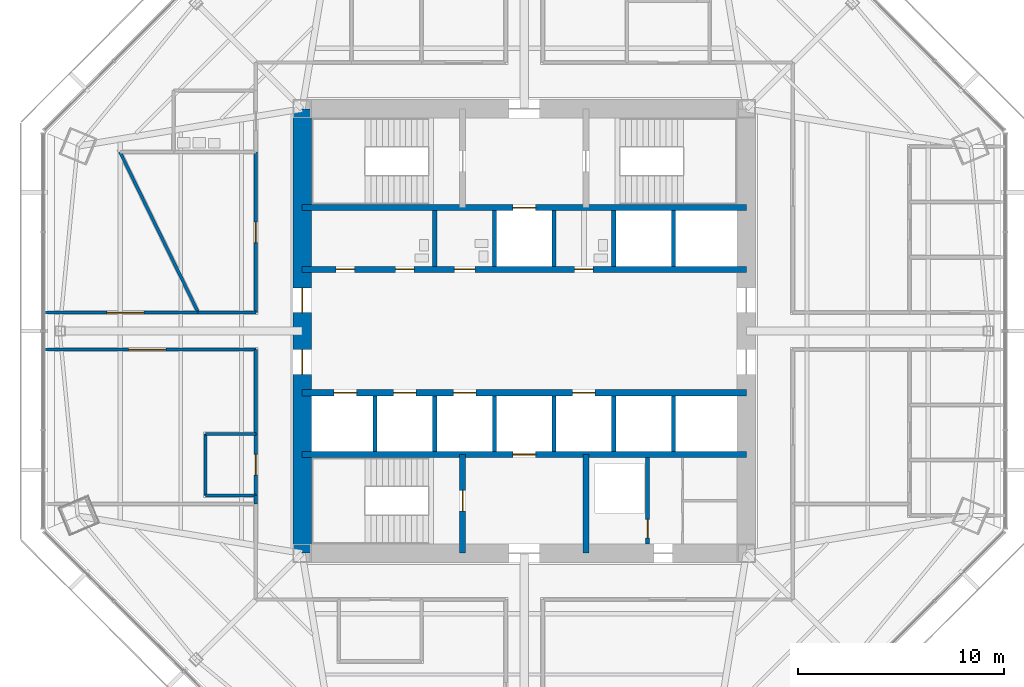
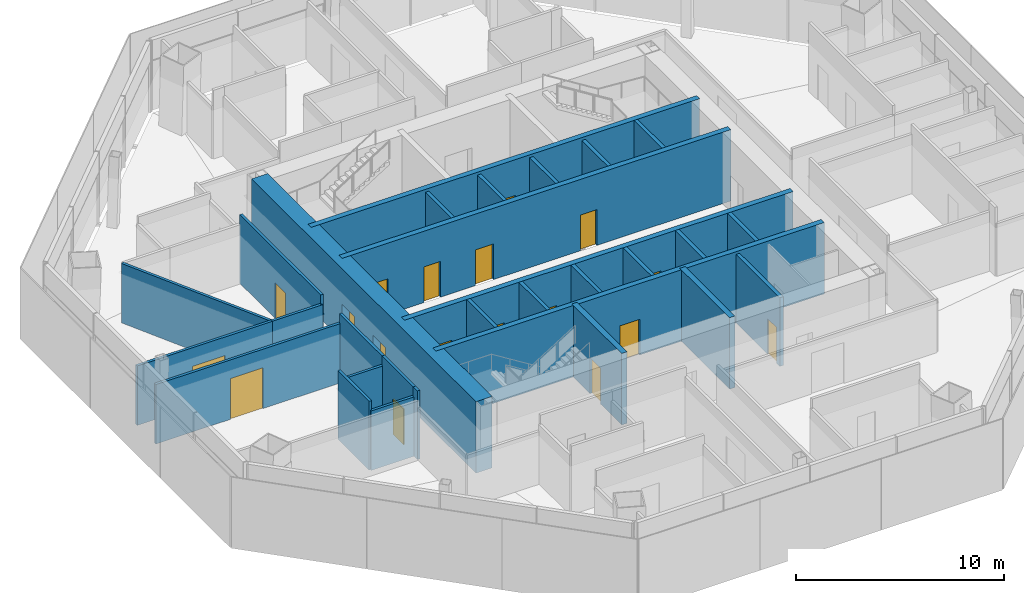
# One storey, part 9 of 15: 30 walls, 18 doors, 18 openings.
"""IFC4 building model written with IfcOpenShell, lengths in metres."""

from ifc_helpers import new_model, si_unit, direction, frame, frame_2d, origin, place, context, subcontext, project, spatial, rectangle, extrude, material, layer, layer_set, type_object, element, fill, save


model = new_model("IFC4")

# Units and contexts
model_context = context("Model", 3, precision=1e-05, world=origin(), true_north=direction((0.0, 1.0)))
body_context = subcontext(model_context, "Body", "Model", "MODEL_VIEW")
ifc_project = project(units=[si_unit("LENGTHUNIT", "METRE"), si_unit("AREAUNIT", "SQUARE_METRE"), si_unit("VOLUMEUNIT", "CUBIC_METRE"), si_unit("PLANEANGLEUNIT", "RADIAN"), si_unit("MASSUNIT", "GRAM", prefix="KILO")], contexts=[model_context])

# Site, building, storey
site_placement = place(None, origin())
site = spatial("IfcSite", under=ifc_project, at=site_placement, CompositionType="ELEMENT")
building_placement = place(site_placement, origin())
building = spatial("IfcBuilding", under=site, at=building_placement, Name="Mashrafa Tower", CompositionType="ELEMENT")
storey_placement = place(building_placement, frame((0.0, 0.0, 163.800048828125)))
storey = spatial("IfcBuildingStorey", under=building, at=storey_placement, Name="L37", CompositionType="ELEMENT", Elevation=163.800048828125)

# Wall, opening, door
ifc_material_1 = material(Name="Concrete masonry unit", Category="masonry")
ifc_layer_1 = layer(ifc_material_1, 0.199951171875)
ifc_layer_set_1 = layer_set([ifc_layer_1], Name="Blockwork wall 200 2 hr")
wall_type_1 = type_object("IfcWallType", Name="Blockwork wall 200 2 hr", PredefinedType="PARTITIONING", material=ifc_layer_set_1)
wall_1_placement = place(storey_placement, frame((6.0, -10.35009765625, 0.0), z_axis=(0.0, 0.0, 1.0), x_axis=(0.0, 1.0, 0.0)))
wall_1 = element("IfcWall", 1, at=wall_1_placement, inside=storey, type_object=wall_type_1, Name="Riser enclosure wall L37", PredefinedType="PARTITIONING", context=body_context, shape_type="SweptSolid", body=[
    extrude(rectangle(XDim=4.2001953125, YDim=0.199951171875, at=frame_2d((2.10009765625, 0.0))), origin(), (0.0, 0.0, 1.0), 4.034912109375),
])
opening_1_placement = place(wall_1_placement, frame((0.300048828125, 0.0, 0.0)))
opening_1 = element("IfcOpeningElement", 2, at=opening_1_placement, cuts=wall_1, Name="Opening 37.034", PredefinedType="OPENING", context=body_context, shape_type="SweptSolid", body=[
    extrude(rectangle(XDim=0.89990234375, YDim=2.10009765625, at=frame_2d((0.449951171875, 1.050048828125))), frame((0.0, 0.10986328125, 0.0), z_axis=(0.0, -1.0, 0.0), x_axis=(1.0, 0.0, 0.0)), (0.0, 0.0, 1.0), 0.219970703125),
])
ifc_material_2 = material(Name="Steel door", Category="steel")
door_type_1 = type_object("IfcDoorType", Name="Service door 900 x 2100 90 min", OperationType="USERDEFINED", PredefinedType="DOOR", material=ifc_material_2)
door_1_placement = place(opening_1_placement, origin())
door_1 = element("IfcDoor", 3, at=door_1_placement, inside=storey, type_object=door_type_1, Name="Riser door L37", OperationType="SINGLE_SWING_LEFT", OverallHeight=2.10009765625, OverallWidth=0.89990234375, PredefinedType="DOOR", context=body_context, shape_type="SweptSolid", body=[
    extrude(rectangle(XDim=0.89990234375, YDim=2.10009765625, at=frame_2d((0.449951171875, 1.050048828125))), frame((0.0, 0.02490234375, 0.0), z_axis=(0.0, -1.0, 0.0), x_axis=(1.0, 0.0, 0.0)), (0.0, 0.0, 1.0), 0.050048828125),
])
fill(opening_1, door_1)

# Wall, openings, doors
ifc_material_3 = material(Name="Concrete C60/75", Category="concrete")
ifc_layer_2 = layer(ifc_material_3, 0.300048828125)
ifc_layer_set_2 = layer_set([ifc_layer_2], Name="Core wall 300 C60/75")
wall_type_2 = type_object("IfcWallType", Name="Core wall 300 C60/75", PredefinedType="SOLIDWALL", material=ifc_layer_set_2)
wall_2_placement = place(storey_placement, frame((-10.800048828125, 3.0, 0.0), z_axis=(0.0, 0.0, 1.0), x_axis=(1.0, 0.0, 0.0)))
wall_2 = element("IfcWall", 4, at=wall_2_placement, inside=storey, type_object=wall_type_2, Name="Core wall CH-N L37", PredefinedType="SOLIDWALL", context=body_context, shape_type="SweptSolid", body=[
    extrude(rectangle(XDim=21.60009765625, YDim=0.300048828125, at=frame_2d((10.800048828125, 0.0))), origin(), (0.0, 0.0, 1.0), 4.199951171875),
])
opening_2_placement = place(wall_2_placement, frame((1.64990234375, 0.0, 0.0)))
opening_2 = element("IfcOpeningElement", 5, at=opening_2_placement, cuts=wall_2, Name="Opening 37.037", PredefinedType="OPENING", context=body_context, shape_type="SweptSolid", body=[
    extrude(rectangle(XDim=0.89990234375, YDim=2.10009765625, at=frame_2d((0.449951171875, 1.050048828125))), frame((0.0, 0.159912109375, 0.0), z_axis=(0.0, -1.0, 0.0), x_axis=(1.0, 0.0, 0.0)), (0.0, 0.0, 1.0), 0.320068359375),
])
opening_3_placement = place(wall_2_placement, frame((4.550048828125, 0.0, 0.0)))
opening_3 = element("IfcOpeningElement", 6, at=opening_3_placement, cuts=wall_2, Name="Opening 37.038", PredefinedType="OPENING", context=body_context, shape_type="SweptSolid", body=[
    extrude(rectangle(XDim=0.89990234375, YDim=2.10009765625, at=frame_2d((0.449951171875, 1.050048828125))), frame((0.0, 0.159912109375, 0.0), z_axis=(0.0, -1.0, 0.0), x_axis=(1.0, 0.0, 0.0)), (0.0, 0.0, 1.0), 0.320068359375),
])
opening_4_placement = place(wall_2_placement, frame((7.39990234375, 0.0, 0.0)))
opening_4 = element("IfcOpeningElement", 7, at=opening_4_placement, cuts=wall_2, Name="Opening 37.039", PredefinedType="OPENING", context=body_context, shape_type="SweptSolid", body=[
    extrude(rectangle(XDim=1.0, YDim=2.10009765625, at=frame_2d((0.5, 1.050048828125))), frame((0.0, 0.159912109375, 0.0), z_axis=(0.0, -1.0, 0.0), x_axis=(1.0, 0.0, 0.0)), (0.0, 0.0, 1.0), 0.320068359375),
])
opening_5_placement = place(wall_2_placement, frame((13.25, 0.0, 0.0)))
opening_5 = element("IfcOpeningElement", 8, at=opening_5_placement, cuts=wall_2, Name="Opening 37.040", PredefinedType="OPENING", context=body_context, shape_type="SweptSolid", body=[
    extrude(rectangle(XDim=0.89990234375, YDim=2.10009765625, at=frame_2d((0.449951171875, 1.050048828125))), frame((0.0, 0.159912109375, 0.0), z_axis=(0.0, -1.0, 0.0), x_axis=(1.0, 0.0, 0.0)), (0.0, 0.0, 1.0), 0.320068359375),
])
ifc_material_4 = material(Name="Timber door", Category="wood")
door_type_2 = type_object("IfcDoorType", Name="Accessible toilet door 1000 x 2100", OperationType="USERDEFINED", PredefinedType="DOOR", material=ifc_material_4)
door_2_placement = place(opening_4_placement, origin())
door_2 = element("IfcDoor", 9, at=door_2_placement, inside=storey, type_object=door_type_2, Name="Accessible WC L37 door", OperationType="SINGLE_SWING_LEFT", OverallHeight=2.10009765625, OverallWidth=1.0, PredefinedType="DOOR", context=body_context, shape_type="SweptSolid", body=[
    extrude(rectangle(XDim=1.0, YDim=2.10009765625, at=frame_2d((0.5, 1.050048828125))), frame((0.0, 0.02490234375, 0.0), z_axis=(0.0, -1.0, 0.0), x_axis=(1.0, 0.0, 0.0)), (0.0, 0.0, 1.0), 0.050048828125),
])
fill(opening_4, door_2)
ifc_material_5 = material(Name="Timber door", Category="wood")
door_type_3 = type_object("IfcDoorType", Name="Toilet door 900 x 2100", OperationType="USERDEFINED", PredefinedType="DOOR", material=ifc_material_5)
door_3_placement = place(opening_2_placement, origin())
door_3 = element("IfcDoor", 10, at=door_3_placement, inside=storey, type_object=door_type_3, Name="WC Female L37 door", OperationType="SINGLE_SWING_LEFT", OverallHeight=2.10009765625, OverallWidth=0.89990234375, PredefinedType="DOOR", context=body_context, shape_type="SweptSolid", body=[
    extrude(rectangle(XDim=0.89990234375, YDim=2.10009765625, at=frame_2d((0.449951171875, 1.050048828125))), frame((0.0, 0.02490234375, 0.0), z_axis=(0.0, -1.0, 0.0), x_axis=(1.0, 0.0, 0.0)), (0.0, 0.0, 1.0), 0.050048828125),
])
fill(opening_2, door_3)
door_4_placement = place(opening_3_placement, origin())
door_4 = element("IfcDoor", 11, at=door_4_placement, inside=storey, type_object=door_type_3, Name="WC Female L37 door", OperationType="SINGLE_SWING_RIGHT", OverallHeight=2.10009765625, OverallWidth=0.89990234375, PredefinedType="DOOR", context=body_context, shape_type="SweptSolid", body=[
    extrude(rectangle(XDim=0.89990234375, YDim=2.10009765625, at=frame_2d((0.449951171875, 1.050048828125))), frame((0.0, 0.02490234375, 0.0), z_axis=(0.0, -1.0, 0.0), x_axis=(1.0, 0.0, 0.0)), (0.0, 0.0, 1.0), 0.050048828125),
])
fill(opening_3, door_4)
door_5_placement = place(opening_5_placement, origin())
door_5 = element("IfcDoor", 12, at=door_5_placement, inside=storey, type_object=door_type_3, Name="WC Male L37 door", OperationType="SINGLE_SWING_LEFT", OverallHeight=2.10009765625, OverallWidth=0.89990234375, PredefinedType="DOOR", context=body_context, shape_type="SweptSolid", body=[
    extrude(rectangle(XDim=0.89990234375, YDim=2.10009765625, at=frame_2d((0.449951171875, 1.050048828125))), frame((0.0, 0.02490234375, 0.0), z_axis=(0.0, -1.0, 0.0), x_axis=(1.0, 0.0, 0.0)), (0.0, 0.0, 1.0), 0.050048828125),
])
fill(opening_5, door_5)

# Wall, opening, door
wall_3_placement = place(storey_placement, frame((-10.800048828125, 6.0, 0.0), z_axis=(0.0, 0.0, 1.0), x_axis=(1.0, 0.0, 0.0)))
wall_3 = element("IfcWall", 13, at=wall_3_placement, inside=storey, type_object=wall_type_2, Name="Core wall CB-N L37", PredefinedType="SOLIDWALL", context=body_context, shape_type="SweptSolid", body=[
    extrude(rectangle(XDim=21.60009765625, YDim=0.300048828125, at=frame_2d((10.800048828125, 0.0))), origin(), (0.0, 0.0, 1.0), 4.199951171875),
])
opening_6_placement = place(wall_3_placement, frame((10.25, 0.0, 0.0)))
opening_6 = element("IfcOpeningElement", 14, at=opening_6_placement, cuts=wall_3, Name="Opening 37.F1", PredefinedType="OPENING", context=body_context, shape_type="SweptSolid", body=[
    extrude(rectangle(XDim=1.10009765625, YDim=2.10009765625, at=frame_2d((0.550048828125, 1.050048828125))), frame((0.0, 0.159912109375, 0.0), z_axis=(0.0, -1.0, 0.0), x_axis=(1.0, 0.0, 0.0)), (0.0, 0.0, 1.0), 0.320068359375),
])
ifc_material_6 = material(Name="Steel door", Category="steel")
door_type_4 = type_object("IfcDoorType", Name="Lift landing door 1100 x 2100 90 min", OperationType="DOUBLE_DOOR_SLIDING", PredefinedType="DOOR", material=ifc_material_6)
door_6_placement = place(opening_6_placement, origin())
door_6 = element("IfcDoor", 15, at=door_6_placement, inside=storey, type_object=door_type_4, Name="Lift landing door F1 L37", OperationType="DOUBLE_DOOR_SLIDING", OverallHeight=2.10009765625, OverallWidth=1.10009765625, PredefinedType="DOOR", context=body_context, shape_type="SweptSolid", body=[
    extrude(rectangle(XDim=1.10009765625, YDim=2.10009765625, at=frame_2d((0.550048828125, 1.050048828125))), frame((0.0, 0.02490234375, 0.0), z_axis=(0.0, -1.0, 0.0), x_axis=(1.0, 0.0, 0.0)), (0.0, 0.0, 1.0), 0.050048828125),
])
fill(opening_6, door_6)

# Wall, openings, doors
wall_4_placement = place(storey_placement, frame((-10.800048828125, -3.0, 0.0), z_axis=(0.0, 0.0, 1.0), x_axis=(1.0, 0.0, 0.0)))
wall_4 = element("IfcWall", 16, at=wall_4_placement, inside=storey, type_object=wall_type_2, Name="Core wall CH-S L37", PredefinedType="SOLIDWALL", context=body_context, shape_type="SweptSolid", body=[
    extrude(rectangle(XDim=21.60009765625, YDim=0.300048828125, at=frame_2d((10.800048828125, 0.0))), origin(), (0.0, 0.0, 1.0), 4.199951171875),
])
opening_7_placement = place(wall_4_placement, frame((1.550048828125, 0.0, 0.0)))
opening_7 = element("IfcOpeningElement", 17, at=opening_7_placement, cuts=wall_4, Name="Opening 37.B1", PredefinedType="OPENING", context=body_context, shape_type="SweptSolid", body=[
    extrude(rectangle(XDim=1.10009765625, YDim=2.10009765625, at=frame_2d((0.550048828125, 1.050048828125))), frame((0.0, 0.159912109375, 0.0), z_axis=(0.0, -1.0, 0.0), x_axis=(1.0, 0.0, 0.0)), (0.0, 0.0, 1.0), 0.320068359375),
])
opening_8_placement = place(wall_4_placement, frame((4.449951171875, 0.0, 0.0)))
opening_8 = element("IfcOpeningElement", 18, at=opening_8_placement, cuts=wall_4, Name="Opening 37.B2", PredefinedType="OPENING", context=body_context, shape_type="SweptSolid", body=[
    extrude(rectangle(XDim=1.10009765625, YDim=2.10009765625, at=frame_2d((0.550048828125, 1.050048828125))), frame((0.0, 0.159912109375, 0.0), z_axis=(0.0, -1.0, 0.0), x_axis=(1.0, 0.0, 0.0)), (0.0, 0.0, 1.0), 0.320068359375),
])
opening_9_placement = place(wall_4_placement, frame((7.35009765625, 0.0, 0.0)))
opening_9 = element("IfcOpeningElement", 19, at=opening_9_placement, cuts=wall_4, Name="Opening 37.B3", PredefinedType="OPENING", context=body_context, shape_type="SweptSolid", body=[
    extrude(rectangle(XDim=1.10009765625, YDim=2.10009765625, at=frame_2d((0.550048828125, 1.050048828125))), frame((0.0, 0.159912109375, 0.0), z_axis=(0.0, -1.0, 0.0), x_axis=(1.0, 0.0, 0.0)), (0.0, 0.0, 1.0), 0.320068359375),
])
opening_10_placement = place(wall_4_placement, frame((13.14990234375, 0.0, 0.0)))
opening_10 = element("IfcOpeningElement", 20, at=opening_10_placement, cuts=wall_4, Name="Opening 37.B4", PredefinedType="OPENING", context=body_context, shape_type="SweptSolid", body=[
    extrude(rectangle(XDim=1.10009765625, YDim=2.10009765625, at=frame_2d((0.550048828125, 1.050048828125))), frame((0.0, 0.159912109375, 0.0), z_axis=(0.0, -1.0, 0.0), x_axis=(1.0, 0.0, 0.0)), (0.0, 0.0, 1.0), 0.320068359375),
])
door_7_placement = place(opening_7_placement, origin())
door_7 = element("IfcDoor", 21, at=door_7_placement, inside=storey, type_object=door_type_4, Name="Lift landing door B1 L37", OperationType="DOUBLE_DOOR_SLIDING", OverallHeight=2.10009765625, OverallWidth=1.10009765625, PredefinedType="DOOR", context=body_context, shape_type="SweptSolid", body=[
    extrude(rectangle(XDim=1.10009765625, YDim=2.10009765625, at=frame_2d((0.550048828125, 1.050048828125))), frame((0.0, 0.02490234375, 0.0), z_axis=(0.0, -1.0, 0.0), x_axis=(1.0, 0.0, 0.0)), (0.0, 0.0, 1.0), 0.050048828125),
])
fill(opening_7, door_7)
door_8_placement = place(opening_8_placement, origin())
door_8 = element("IfcDoor", 22, at=door_8_placement, inside=storey, type_object=door_type_4, Name="Lift landing door B2 L37", OperationType="DOUBLE_DOOR_SLIDING", OverallHeight=2.10009765625, OverallWidth=1.10009765625, PredefinedType="DOOR", context=body_context, shape_type="SweptSolid", body=[
    extrude(rectangle(XDim=1.10009765625, YDim=2.10009765625, at=frame_2d((0.550048828125, 1.050048828125))), frame((0.0, 0.02490234375, 0.0), z_axis=(0.0, -1.0, 0.0), x_axis=(1.0, 0.0, 0.0)), (0.0, 0.0, 1.0), 0.050048828125),
])
fill(opening_8, door_8)
door_9_placement = place(opening_9_placement, origin())
door_9 = element("IfcDoor", 23, at=door_9_placement, inside=storey, type_object=door_type_4, Name="Lift landing door B3 L37", OperationType="DOUBLE_DOOR_SLIDING", OverallHeight=2.10009765625, OverallWidth=1.10009765625, PredefinedType="DOOR", context=body_context, shape_type="SweptSolid", body=[
    extrude(rectangle(XDim=1.10009765625, YDim=2.10009765625, at=frame_2d((0.550048828125, 1.050048828125))), frame((0.0, 0.02490234375, 0.0), z_axis=(0.0, -1.0, 0.0), x_axis=(1.0, 0.0, 0.0)), (0.0, 0.0, 1.0), 0.050048828125),
])
fill(opening_9, door_9)
door_10_placement = place(opening_10_placement, origin())
door_10 = element("IfcDoor", 24, at=door_10_placement, inside=storey, type_object=door_type_4, Name="Lift landing door B4 L37", OperationType="DOUBLE_DOOR_SLIDING", OverallHeight=2.10009765625, OverallWidth=1.10009765625, PredefinedType="DOOR", context=body_context, shape_type="SweptSolid", body=[
    extrude(rectangle(XDim=1.10009765625, YDim=2.10009765625, at=frame_2d((0.550048828125, 1.050048828125))), frame((0.0, 0.02490234375, 0.0), z_axis=(0.0, -1.0, 0.0), x_axis=(1.0, 0.0, 0.0)), (0.0, 0.0, 1.0), 0.050048828125),
])
fill(opening_10, door_10)

# Wall, opening, door
wall_5_placement = place(storey_placement, frame((-10.800048828125, -6.0, 0.0), z_axis=(0.0, 0.0, 1.0), x_axis=(1.0, 0.0, 0.0)))
wall_5 = element("IfcWall", 25, at=wall_5_placement, inside=storey, type_object=wall_type_2, Name="Core wall CB-S L37", PredefinedType="SOLIDWALL", context=body_context, shape_type="SweptSolid", body=[
    extrude(rectangle(XDim=21.60009765625, YDim=0.300048828125, at=frame_2d((10.800048828125, 0.0))), origin(), (0.0, 0.0, 1.0), 4.199951171875),
])
opening_11_placement = place(wall_5_placement, frame((10.25, 0.0, 0.0)))
opening_11 = element("IfcOpeningElement", 26, at=opening_11_placement, cuts=wall_5, Name="Opening 37.F2", PredefinedType="OPENING", context=body_context, shape_type="SweptSolid", body=[
    extrude(rectangle(XDim=1.10009765625, YDim=2.10009765625, at=frame_2d((0.550048828125, 1.050048828125))), frame((0.0, 0.159912109375, 0.0), z_axis=(0.0, -1.0, 0.0), x_axis=(1.0, 0.0, 0.0)), (0.0, 0.0, 1.0), 0.320068359375),
])
door_11_placement = place(opening_11_placement, origin())
door_11 = element("IfcDoor", 27, at=door_11_placement, inside=storey, type_object=door_type_4, Name="Lift landing door F2 L37", OperationType="DOUBLE_DOOR_SLIDING", OverallHeight=2.10009765625, OverallWidth=1.10009765625, PredefinedType="DOOR", context=body_context, shape_type="SweptSolid", body=[
    extrude(rectangle(XDim=1.10009765625, YDim=2.10009765625, at=frame_2d((0.550048828125, 1.050048828125))), frame((0.0, 0.02490234375, 0.0), z_axis=(0.0, -1.0, 0.0), x_axis=(1.0, 0.0, 0.0)), (0.0, 0.0, 1.0), 0.050048828125),
])
fill(opening_11, door_11)

wall_6_placement = place(storey_placement, frame((-3.0, -6.0, 0.0), z_axis=(0.0, 0.0, 1.0), x_axis=(0.0, -1.0, 0.0)))
wall_6 = element("IfcWall", 28, at=wall_6_placement, inside=storey, type_object=wall_type_2, Name="Core wall CX-SW L37", PredefinedType="SOLIDWALL", context=body_context, shape_type="SweptSolid", body=[
    extrude(rectangle(XDim=4.800048828125, YDim=0.300048828125, at=frame_2d((2.39990234375, 0.0))), origin(), (0.0, 0.0, 1.0), 4.199951171875),
])
opening_12_placement = place(wall_6_placement, frame((1.75, 0.0, 0.0)))
opening_12 = element("IfcOpeningElement", 29, at=opening_12_placement, cuts=wall_6, Name="Opening 37.032", PredefinedType="OPENING", context=body_context, shape_type="SweptSolid", body=[
    extrude(rectangle(XDim=1.0, YDim=2.10009765625, at=frame_2d((0.5, 1.050048828125))), frame((0.0, 0.159912109375, 0.0), z_axis=(0.0, -1.0, 0.0), x_axis=(1.0, 0.0, 0.0)), (0.0, 0.0, 1.0), 0.320068359375),
])
ifc_material_7 = material(Name="Steel door", Category="steel")
door_type_5 = type_object("IfcDoorType", Name="Stair door 1000 x 2100 90 min", OperationType="USERDEFINED", PredefinedType="DOOR", material=ifc_material_7)
door_12_placement = place(opening_12_placement, frame((1.0, 0.0, 0.0), z_axis=(0.0, 0.0, 1.0), x_axis=(-1.0, 0.0, 0.0)))
door_12 = element("IfcDoor", 30, at=door_12_placement, inside=storey, type_object=door_type_5, Name="Stair S3 door L37", OperationType="SINGLE_SWING_RIGHT", OverallHeight=2.10009765625, OverallWidth=1.0, PredefinedType="DOOR", context=body_context, shape_type="SweptSolid", body=[
    extrude(rectangle(XDim=1.0, YDim=2.10009765625, at=frame_2d((0.5, 1.050048828125))), frame((0.0, 0.02490234375, 0.0), z_axis=(0.0, -1.0, 0.0), x_axis=(1.0, 0.0, 0.0)), (0.0, 0.0, 1.0), 0.050048828125),
])
fill(opening_12, door_12)

# Wall
wall_7_placement = place(storey_placement, frame((3.0, -6.0, 0.0), z_axis=(0.0, 0.0, 1.0), x_axis=(0.0, -1.0, 0.0)))
element("IfcWall", 31, at=wall_7_placement, inside=storey, type_object=wall_type_2, Name="Core wall CX-SE L37", PredefinedType="SOLIDWALL", context=body_context, shape_type="SweptSolid", body=[
    extrude(rectangle(XDim=4.800048828125, YDim=0.300048828125, at=frame_2d((2.39990234375, 0.0))), origin(), (0.0, 0.0, 1.0), 4.199951171875),
])

# Wall, openings, doors
ifc_material_8 = material(Name="Concrete C60/75", Category="concrete")
ifc_layer_3 = layer(ifc_material_8, 0.89990234375)
ifc_layer_set_3 = layer_set([ifc_layer_3], Name="Core wall 900 C60/75")
wall_type_3 = type_object("IfcWallType", Name="Core wall 900 C60/75", PredefinedType="SOLIDWALL", material=ifc_layer_set_3)
wall_8_placement = place(storey_placement, frame((-10.800048828125, 10.800048828125, 0.0), z_axis=(0.0, 0.0, 1.0), x_axis=(0.0, -1.0, 0.0)))
wall_8 = element("IfcWall", 32, at=wall_8_placement, inside=storey, type_object=wall_type_3, Name="Core wall CW-W L37", PredefinedType="SOLIDWALL", context=body_context, shape_type="SweptSolid", body=[
    extrude(rectangle(XDim=21.60009765625, YDim=0.89990234375, at=frame_2d((10.800048828125, 0.0))), origin(), (0.0, 0.0, 1.0), 4.199951171875),
])
opening_13_placement = place(wall_8_placement, frame((8.699951171875, 0.0, 0.0)))
opening_13 = element("IfcOpeningElement", 33, at=opening_13_placement, cuts=wall_8, Name="Opening 37.025", PredefinedType="OPENING", context=body_context, shape_type="SweptSolid", body=[
    extrude(rectangle(XDim=1.199951171875, YDim=2.10009765625, at=frame_2d((0.60009765625, 1.050048828125))), frame((0.0, 0.4599609375, 0.0), z_axis=(0.0, -1.0, 0.0), x_axis=(1.0, 0.0, 0.0)), (0.0, 0.0, 1.0), 0.919921875),
])
opening_14_placement = place(wall_8_placement, frame((11.699951171875, 0.0, 0.0)))
opening_14 = element("IfcOpeningElement", 34, at=opening_14_placement, cuts=wall_8, Name="Opening 37.027", PredefinedType="OPENING", context=body_context, shape_type="SweptSolid", body=[
    extrude(rectangle(XDim=1.199951171875, YDim=2.10009765625, at=frame_2d((0.60009765625, 1.050048828125))), frame((0.0, 0.4599609375, 0.0), z_axis=(0.0, -1.0, 0.0), x_axis=(1.0, 0.0, 0.0)), (0.0, 0.0, 1.0), 0.919921875),
])
ifc_material_9 = material(Name="Steel door", Category="steel")
door_type_6 = type_object("IfcDoorType", Name="Lift hall door 1200 x 2100 90 min", OperationType="USERDEFINED", PredefinedType="DOOR", material=ifc_material_9)
door_13_placement = place(opening_13_placement, frame((1.199951171875, 0.0, 0.0), z_axis=(0.0, 0.0, 1.0), x_axis=(-1.0, 0.0, 0.0)))
door_13 = element("IfcDoor", 35, at=door_13_placement, inside=storey, type_object=door_type_6, Name="Lift hall door west L37", OperationType="SINGLE_SWING_RIGHT", OverallHeight=2.10009765625, OverallWidth=1.199951171875, PredefinedType="DOOR", context=body_context, shape_type="SweptSolid", body=[
    extrude(rectangle(XDim=1.199951171875, YDim=2.10009765625, at=frame_2d((0.60009765625, 1.050048828125))), frame((0.0, 0.02490234375, 0.0), z_axis=(0.0, -1.0, 0.0), x_axis=(1.0, 0.0, 0.0)), (0.0, 0.0, 1.0), 0.050048828125),
])
fill(opening_13, door_13)
door_14_placement = place(opening_14_placement, frame((1.199951171875, 0.0, 0.0), z_axis=(0.0, 0.0, 1.0), x_axis=(-1.0, 0.0, 0.0)))
door_14 = element("IfcDoor", 36, at=door_14_placement, inside=storey, type_object=door_type_6, Name="Lift hall door west L37", OperationType="SINGLE_SWING_LEFT", OverallHeight=2.10009765625, OverallWidth=1.199951171875, PredefinedType="DOOR", context=body_context, shape_type="SweptSolid", body=[
    extrude(rectangle(XDim=1.199951171875, YDim=2.10009765625, at=frame_2d((0.60009765625, 1.050048828125))), frame((0.0, 0.02490234375, 0.0), z_axis=(0.0, -1.0, 0.0), x_axis=(1.0, 0.0, 0.0)), (0.0, 0.0, 1.0), 0.050048828125),
])
fill(opening_14, door_14)

# Wall, opening, door
ifc_material_10 = material(Name="Gypsum board on steel studs", Category="steel")
ifc_layer_4 = layer(ifc_material_10, 0.14990234375)
ifc_layer_set_4 = layer_set([ifc_layer_4], Name="Corridor partition 150 1 hr")
wall_type_4 = type_object("IfcWallType", Name="Corridor partition 150 1 hr", PredefinedType="PARTITIONING", material=ifc_layer_set_4)
wall_9_placement = place(storey_placement, frame((-13.050048828125, 8.700927734375, 0.0), z_axis=(0.0, 0.0, 1.0), x_axis=(0.0, -1.0, 0.0)))
wall_9 = element("IfcWall", 37, at=wall_9_placement, inside=storey, type_object=wall_type_4, Name="Corridor wall L37-001", PredefinedType="PARTITIONING", context=body_context, shape_type="SweptSolid", body=[
    extrude(rectangle(XDim=7.801025390625, YDim=0.14990234375, at=frame_2d((3.900390625, 0.0))), origin(), (0.0, 0.0, 1.0), 4.034912109375),
])
opening_15_placement = place(wall_9_placement, frame((3.400390625, 0.0, 0.0)))
opening_15 = element("IfcOpeningElement", 38, at=opening_15_placement, cuts=wall_9, Name="Opening 37.001", PredefinedType="OPENING", context=body_context, shape_type="SweptSolid", body=[
    extrude(rectangle(XDim=1.0, YDim=2.10009765625, at=frame_2d((0.5, 1.050048828125))), frame((0.0, 0.0849609375, 0.0), z_axis=(0.0, -1.0, 0.0), x_axis=(1.0, 0.0, 0.0)), (0.0, 0.0, 1.0), 0.169921875),
])
ifc_material_11 = material(Name="Timber door", Category="wood")
door_type_7 = type_object("IfcDoorType", Name="Door 1000 x 2100", OperationType="USERDEFINED", PredefinedType="DOOR", material=ifc_material_11)
door_15_placement = place(opening_15_placement, frame((1.0, 0.0, 0.0), z_axis=(0.0, 0.0, 1.0), x_axis=(-1.0, 0.0, 0.0)))
door_15 = element("IfcDoor", 39, at=door_15_placement, inside=storey, type_object=door_type_7, Name="Musallah Prayer Room 37 door", OperationType="SINGLE_SWING_LEFT", OverallHeight=2.10009765625, OverallWidth=1.0, PredefinedType="DOOR", context=body_context, shape_type="SweptSolid", body=[
    extrude(rectangle(XDim=1.0, YDim=2.10009765625, at=frame_2d((0.5, 1.050048828125))), frame((0.0, 0.02490234375, 0.0), z_axis=(0.0, -1.0, 0.0), x_axis=(1.0, 0.0, 0.0)), (0.0, 0.0, 1.0), 0.050048828125),
])
fill(opening_15, door_15)

# Wall
wall_10_placement = place(storey_placement, frame((-13.050048828125, 0.89990234375, 0.0), z_axis=(0.0, 0.0, 1.0), x_axis=(-1.0, 0.0, 0.0)))
element("IfcWall", 40, at=wall_10_placement, inside=storey, type_object=wall_type_4, Name="Corridor wall L37-002", PredefinedType="PARTITIONING", context=body_context, shape_type="SweptSolid", body=[
    extrude(rectangle(XDim=2.796630859375, YDim=0.14990234375, at=frame_2d((1.3984375, 0.0))), origin(), (0.0, 0.0, 1.0), 3.491455078125),
])

# Wall, opening, door
wall_11_placement = place(storey_placement, frame((-13.050048828125, -4.9990234375, 0.0), z_axis=(0.0, 0.0, 1.0), x_axis=(0.0, -1.0, 0.0)))
wall_11 = element("IfcWall", 41, at=wall_11_placement, inside=storey, type_object=wall_type_4, Name="Corridor wall L37-008", PredefinedType="PARTITIONING", context=body_context, shape_type="SweptSolid", body=[
    extrude(rectangle(XDim=3.001953125, YDim=0.14990234375, at=frame_2d((1.5009765625, 0.0))), origin(), (0.0, 0.0, 1.0), 4.034912109375),
])
opening_16_placement = place(wall_11_placement, frame((1.0009765625, 0.0, 0.0)))
opening_16 = element("IfcOpeningElement", 42, at=opening_16_placement, cuts=wall_11, Name="Opening 37.007", PredefinedType="OPENING", context=body_context, shape_type="SweptSolid", body=[
    extrude(rectangle(XDim=1.0, YDim=2.10009765625, at=frame_2d((0.5, 1.050048828125))), frame((0.0, 0.0849609375, 0.0), z_axis=(0.0, -1.0, 0.0), x_axis=(1.0, 0.0, 0.0)), (0.0, 0.0, 1.0), 0.169921875),
])
door_16_placement = place(opening_16_placement, frame((1.0, 0.0, 0.0), z_axis=(0.0, 0.0, 1.0), x_axis=(-1.0, 0.0, 0.0)))
door_16 = element("IfcDoor", 43, at=door_16_placement, inside=storey, type_object=door_type_7, Name="Pantry 37-3 door", OperationType="SINGLE_SWING_RIGHT", OverallHeight=2.10009765625, OverallWidth=1.0, PredefinedType="DOOR", context=body_context, shape_type="SweptSolid", body=[
    extrude(rectangle(XDim=1.0, YDim=2.10009765625, at=frame_2d((0.5, 1.050048828125))), frame((0.0, 0.02490234375, 0.0), z_axis=(0.0, -1.0, 0.0), x_axis=(1.0, 0.0, 0.0)), (0.0, 0.0, 1.0), 0.050048828125),
])
fill(opening_16, door_16)

wall_12_placement = place(storey_placement, frame((-15.844482421875, 0.89990234375, 0.0), z_axis=(0.0, 0.0, 1.0), x_axis=(-1.0, 0.0, 0.0)))
wall_12 = element("IfcWall", 44, at=wall_12_placement, inside=storey, type_object=wall_type_4, Name="Corridor wall L37-016", PredefinedType="PARTITIONING", context=body_context, shape_type="SweptSolid", body=[
    extrude(rectangle(XDim=7.5205078125, YDim=0.14990234375, at=frame_2d((3.76025390625, 0.0))), origin(), (0.0, 0.0, 1.0), 3.491455078125),
])
opening_17_placement = place(wall_12_placement, frame((2.643310546875, 0.0, 0.0)))
opening_17 = element("IfcOpeningElement", 45, at=opening_17_placement, cuts=wall_12, Name="Opening 37.018", PredefinedType="OPENING", context=body_context, shape_type="SweptSolid", body=[
    extrude(rectangle(XDim=1.800048828125, YDim=2.39990234375, at=frame_2d((0.89990234375, 1.199951171875))), frame((0.0, 0.0849609375, 0.0), z_axis=(0.0, -1.0, 0.0), x_axis=(1.0, 0.0, 0.0)), (0.0, 0.0, 1.0), 0.169921875),
])
ifc_material_12 = material(Name="Timber door", Category="wood")
door_type_8 = type_object("IfcDoorType", Name="Door pair 1800 x 2400", OperationType="DOUBLE_DOOR_SINGLE_SWING", PredefinedType="DOOR", material=ifc_material_12)
door_17_placement = place(opening_17_placement, frame((1.800048828125, 0.0, 0.0), z_axis=(0.0, 0.0, 1.0), x_axis=(-1.0, 0.0, 0.0)))
door_17 = element("IfcDoor", 46, at=door_17_placement, inside=storey, type_object=door_type_8, Name="Office Tenancy 37-3-NW1 door", OperationType="DOUBLE_DOOR_SINGLE_SWING", OverallHeight=2.39990234375, OverallWidth=1.800048828125, PredefinedType="DOOR", context=body_context, shape_type="SweptSolid", body=[
    extrude(rectangle(XDim=1.800048828125, YDim=2.39990234375, at=frame_2d((0.89990234375, 1.199951171875))), frame((0.0, 0.02490234375, 0.0), z_axis=(0.0, -1.0, 0.0), x_axis=(1.0, 0.0, 0.0)), (0.0, 0.0, 1.0), 0.050048828125),
])
fill(opening_17, door_17)

wall_13_placement = place(storey_placement, frame((-23.364990234375, -0.89990234375, 0.0), z_axis=(0.0, 0.0, 1.0), x_axis=(1.0, 0.0, 0.0)))
wall_13 = element("IfcWall", 47, at=wall_13_placement, inside=storey, type_object=wall_type_4, Name="Corridor wall L37-025", PredefinedType="PARTITIONING", context=body_context, shape_type="SweptSolid", body=[
    extrude(rectangle(XDim=10.31494140625, YDim=0.14990234375, at=frame_2d((5.157470703125, 0.0))), origin(), (0.0, 0.0, 1.0), 3.491455078125),
])
opening_18_placement = place(wall_13_placement, frame((4.139404296875, 0.0, 0.0)))
opening_18 = element("IfcOpeningElement", 48, at=opening_18_placement, cuts=wall_13, Name="Opening 37.021", PredefinedType="OPENING", context=body_context, shape_type="SweptSolid", body=[
    extrude(rectangle(XDim=1.800048828125, YDim=2.39990234375, at=frame_2d((0.89990234375, 1.199951171875))), frame((0.0, 0.0849609375, 0.0), z_axis=(0.0, -1.0, 0.0), x_axis=(1.0, 0.0, 0.0)), (0.0, 0.0, 1.0), 0.169921875),
])
door_18_placement = place(opening_18_placement, frame((1.800048828125, 0.0, 0.0), z_axis=(0.0, 0.0, 1.0), x_axis=(-1.0, 0.0, 0.0)))
door_18 = element("IfcDoor", 49, at=door_18_placement, inside=storey, type_object=door_type_8, Name="Office Tenancy 37-3-SW2 door", OperationType="DOUBLE_DOOR_SINGLE_SWING", OverallHeight=2.39990234375, OverallWidth=1.800048828125, PredefinedType="DOOR", context=body_context, shape_type="SweptSolid", body=[
    extrude(rectangle(XDim=1.800048828125, YDim=2.39990234375, at=frame_2d((0.89990234375, 1.199951171875))), frame((0.0, 0.02490234375, 0.0), z_axis=(0.0, -1.0, 0.0), x_axis=(1.0, 0.0, 0.0)), (0.0, 0.0, 1.0), 0.050048828125),
])
fill(opening_18, door_18)

# Walls
wall_14_placement = place(storey_placement, frame((-13.050048828125, -0.89990234375, 0.0), z_axis=(0.0, 0.0, 1.0), x_axis=(0.0, -1.0, 0.0)))
element("IfcWall", 50, at=wall_14_placement, inside=storey, type_object=wall_type_4, Name="Corridor wall L37-026", PredefinedType="PARTITIONING", context=body_context, shape_type="SweptSolid", body=[
    extrude(rectangle(XDim=4.10107421875, YDim=0.14990234375, at=frame_2d((2.050537109375, 0.0))), origin(), (0.0, 0.0, 1.0), 4.034912109375),
])
wall_15_placement = place(storey_placement, frame((-13.050048828125, -7.9990234375, 0.0), z_axis=(0.0, 0.0, 1.0), x_axis=(0.0, -1.0, 0.0)))
element("IfcWall", 51, at=wall_15_placement, inside=storey, type_object=wall_type_4, Name="Corridor wall L37-027", PredefinedType="PARTITIONING", context=body_context, shape_type="SweptSolid", body=[
    extrude(rectangle(XDim=0.40185546875, YDim=0.14990234375, at=frame_2d((0.200927734375, 0.0))), origin(), (0.0, 0.0, 1.0), 4.034912109375),
])
ifc_material_13 = material(Name="Gypsum board on steel studs", Category="steel")
ifc_layer_5 = layer(ifc_material_13, 0.14990234375)
ifc_layer_set_5 = layer_set([ifc_layer_5], Name="Partition 150")
wall_type_5 = type_object("IfcWallType", Name="Partition 150", PredefinedType="PARTITIONING", material=ifc_layer_set_5)
wall_16_placement = place(storey_placement, frame((-19.64990234375, 8.699951171875, 0.0), z_axis=(0.0, 0.0, 1.0), x_axis=(0.438358227548, -0.898800347319, 0.0)))
element("IfcWall", 52, at=wall_16_placement, inside=storey, type_object=wall_type_5, Name="Partition wall L37-035", PredefinedType="PARTITIONING", context=body_context, shape_type="SweptSolid", body=[
    extrude(rectangle(XDim=8.67822265625, YDim=0.14990234375, at=frame_2d((4.339111328125, 0.0))), origin(), (0.0, 0.0, 1.0), 3.491455078125),
])
wall_17_placement = place(storey_placement, frame((-13.050048828125, -5.0, 0.0), z_axis=(0.0, 0.0, 1.0), x_axis=(-1.0, 0.0, 0.0)))
element("IfcWall", 53, at=wall_17_placement, inside=storey, type_object=wall_type_5, Name="Partition wall L37-052", PredefinedType="PARTITIONING", context=body_context, shape_type="SweptSolid", body=[
    extrude(rectangle(XDim=2.449951171875, YDim=0.14990234375, at=frame_2d((1.22509765625, 0.0))), origin(), (0.0, 0.0, 1.0), 3.491455078125),
])
wall_18_placement = place(storey_placement, frame((-15.5, -5.0, 0.0), z_axis=(0.0, 0.0, 1.0), x_axis=(0.0, -1.0, 0.0)))
element("IfcWall", 54, at=wall_18_placement, inside=storey, type_object=wall_type_5, Name="Partition wall L37-053", PredefinedType="PARTITIONING", context=body_context, shape_type="SweptSolid", body=[
    extrude(rectangle(XDim=3.0, YDim=0.14990234375, at=frame_2d((1.5, 0.0))), origin(), (0.0, 0.0, 1.0), 4.034912109375),
])
wall_19_placement = place(storey_placement, frame((-15.5, -8.0, 0.0), z_axis=(0.0, 0.0, 1.0), x_axis=(1.0, 0.0, 0.0)))
element("IfcWall", 55, at=wall_19_placement, inside=storey, type_object=wall_type_5, Name="Partition wall L37-054", PredefinedType="PARTITIONING", context=body_context, shape_type="SweptSolid", body=[
    extrude(rectangle(XDim=2.449951171875, YDim=0.14990234375, at=frame_2d((1.22509765625, 0.0))), origin(), (0.0, 0.0, 1.0), 3.491455078125),
])
ifc_material_14 = material(Name="Gypsum shaft wall on steel studs", Category="steel")
ifc_layer_6 = layer(ifc_material_14, 0.199951171875)
ifc_layer_set_6 = layer_set([ifc_layer_6], Name="Shaft divider wall 200 2 hr")
wall_type_6 = type_object("IfcWallType", Name="Shaft divider wall 200 2 hr", PredefinedType="PARTITIONING", material=ifc_layer_set_6)
for number, where, z_axis, x_axis, name in (
    (56, (-4.35009765625, 3.14990234375, 0.0), (0.0, 0.0, 1.0), (0.0, 1.0, 0.0), "Shaft divider wall N2 L37"),
    (57, (-1.449951171875, 3.14990234375, 0.0), (0.0, 0.0, 1.0), (0.0, 1.0, 0.0), "Shaft divider wall N3 L37"),
    (58, (1.449951171875, 3.14990234375, 0.0), (0.0, 0.0, 1.0), (0.0, 1.0, 0.0), "Shaft divider wall N4 L37"),
    (59, (4.35009765625, 3.14990234375, 0.0), (0.0, 0.0, 1.0), (0.0, 1.0, 0.0), "Shaft divider wall N5 L37"),
):
    element("IfcWall", number, at=place(storey_placement, frame(where, z_axis=z_axis, x_axis=x_axis)), inside=storey, type_object=wall_type_6, Name=name, PredefinedType="PARTITIONING", context=body_context, shape_type="SweptSolid", body=[
        extrude(rectangle(XDim=2.7001953125, YDim=0.199951171875, at=frame_2d((1.35009765625, 0.0))), origin(), (0.0, 0.0, 1.0), 4.034912109375),
    ])
for number, where, z_axis, x_axis, name in (
    (60, (7.25, 3.14990234375, 0.0), (0.0, 0.0, 1.0), (0.0, 1.0, 0.0), "Shaft divider wall N6 L37"),
    (61, (-7.25, -5.85009765625, 0.0), (0.0, 0.0, 1.0), (0.0, 1.0, 0.0), "Shaft divider wall S1 L37"),
    (62, (-4.35009765625, -5.85009765625, 0.0), (0.0, 0.0, 1.0), (0.0, 1.0, 0.0), "Shaft divider wall S2 L37"),
    (63, (-1.449951171875, -5.85009765625, 0.0), (0.0, 0.0, 1.0), (0.0, 1.0, 0.0), "Shaft divider wall S3 L37"),
    (64, (1.449951171875, -5.85009765625, 0.0), (0.0, 0.0, 1.0), (0.0, 1.0, 0.0), "Shaft divider wall S4 L37"),
    (65, (4.35009765625, -5.85009765625, 0.0), (0.0, 0.0, 1.0), (0.0, 1.0, 0.0), "Shaft divider wall S5 L37"),
    (66, (7.25, -5.85009765625, 0.0), (0.0, 0.0, 1.0), (0.0, 1.0, 0.0), "Shaft divider wall S6 L37"),
):
    element("IfcWall", number, at=place(storey_placement, frame(where, z_axis=z_axis, x_axis=x_axis)), inside=storey, type_object=wall_type_6, Name=name, PredefinedType="PARTITIONING", context=body_context, shape_type="SweptSolid", body=[
        extrude(rectangle(XDim=2.7001953125, YDim=0.199951171875, at=frame_2d((1.35009765625, 0.0))), origin(), (0.0, 0.0, 1.0), 4.199951171875),
    ])

save(model, "model.ifc")
